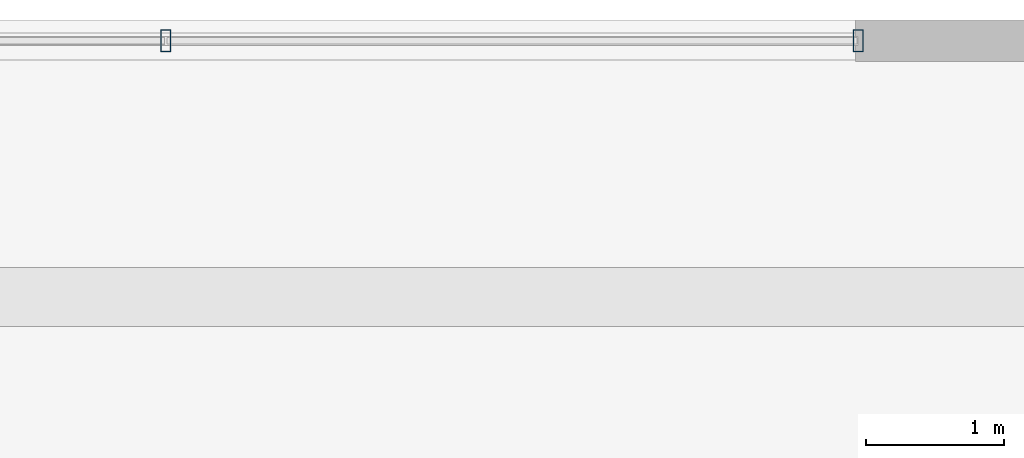
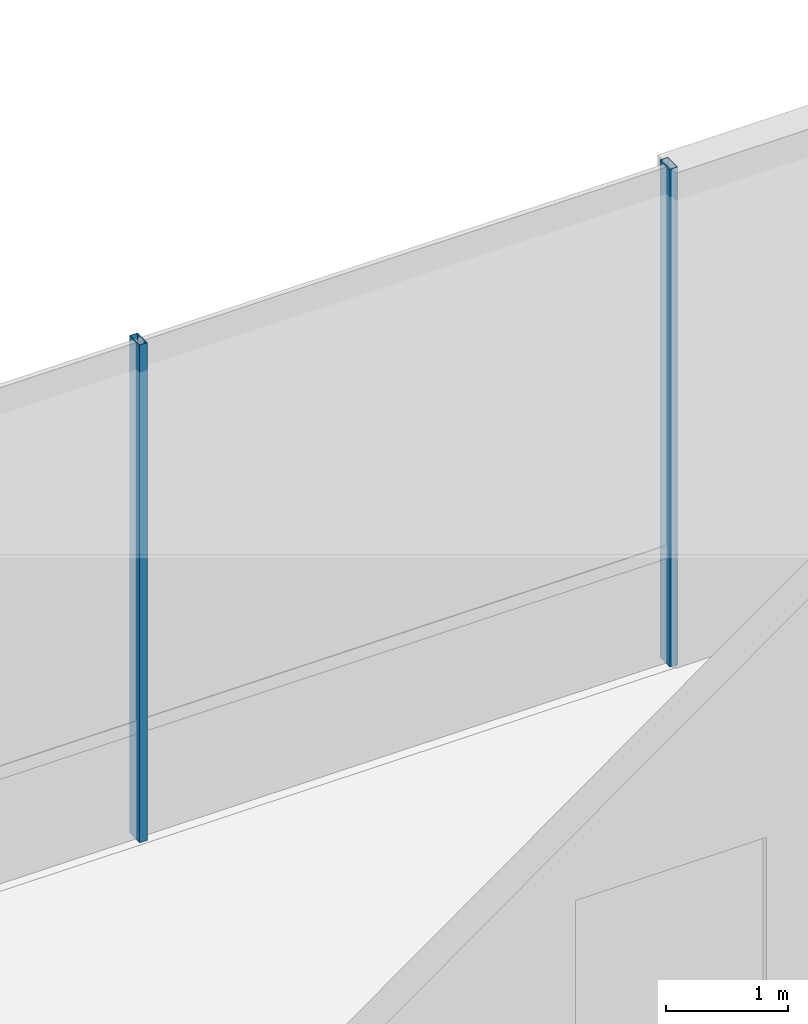
# One storey, part 18 of 41: 2 members, 1 element without a shape of its own.
"""IFC4 building model written with IfcOpenShell, lengths in metres."""

from ifc_helpers import new_model, si_unit, direction, frame, origin, origin_2d, place, context, subcontext, project, spatial, hollow_rectangle, extrude, source, transform, mapped, material, material_profile, profile_set, type_object, element, aggregate, save


model = new_model("IFC4")

# Units and contexts
model_context = context("Model", 3, precision=1e-05, world=origin(), true_north=direction((0.0, 1.0)))
body_context = subcontext(model_context, "Body", "Model", "MODEL_VIEW")
ifc_project = project(units=[si_unit("LENGTHUNIT", "METRE"), si_unit("AREAUNIT", "SQUARE_METRE"), si_unit("VOLUMEUNIT", "CUBIC_METRE"), si_unit("PLANEANGLEUNIT", "RADIAN"), si_unit("MASSUNIT", "GRAM", prefix="KILO")], contexts=[model_context])

# Site, building, storey
site_placement = place(None, origin())
site = spatial("IfcSite", under=ifc_project, at=site_placement, CompositionType="ELEMENT")
building_placement = place(site_placement, origin())
building = spatial("IfcBuilding", under=site, at=building_placement, Name="Valdorenza Pilgrim Sanctuary Tower", CompositionType="ELEMENT")
storey_placement = place(building_placement, frame((0.0, 0.0, 20.800048828125)))
storey = spatial("IfcBuildingStorey", under=building, at=storey_placement, Name="L04", CompositionType="ELEMENT", Elevation=20.800048828125)

# Curtain wall, members
ifc_material_1 = material(Name="Curtain-wall IGU glazing", Category="glass")
curtain_wall_type = type_object("IfcCurtainWallType", Name="CW-SYS-01", PredefinedType="NOTDEFINED", material=ifc_material_1)
curtain_wall_placement = place(storey_placement, origin())
curtain_wall = element("IfcCurtainWall", 1, at=curtain_wall_placement, inside=storey, type_object=curtain_wall_type, Name="L04 Curtain Wall CW-POD-L04-NN", PredefinedType="NOTDEFINED")
ifc_material_2 = material(Name="Anodised aluminium AW-6060", Category="aluminium")
ifc_material_profile = material_profile(ifc_material_2, hollow_rectangle(XDim=0.074951171875, YDim=0.159912109375, WallThickness=0.00390625, at=origin_2d()), Name="ALU-M 160x75x4")
ifc_profile_set = profile_set([ifc_material_profile], Name="Anodised aluminium AW-6060")
member_type = type_object("IfcMemberType", Name="CW-MUL-01", PredefinedType="MULLION", material=ifc_profile_set)
shared_shape = source(origin(), body_context, "Body", "SweptSolid", [
    extrude(hollow_rectangle(XDim=0.074951171875, YDim=0.159912109375, WallThickness=0.00390625, at=origin_2d()), origin(), (0.0, 0.0, 1.0), 4.9599609375),
])
member_1_placement = place(storey_placement, frame((5.0, 22.85009765625, 0.0), z_axis=(0.0, 0.0, 1.0), x_axis=(1.0, 0.0, 0.0)))
member_1 = element("IfcMember", 2, at=member_1_placement, type_object=member_type, Name="CW-POD-L04-NN Mullion 4", PredefinedType="MULLION", context=body_context, shape_type="MappedRepresentation", body=[
    mapped(shared_shape, transform((0.0, 0.0, 0.0), x_axis=(1.0, 0.0, 0.0), y_axis=(0.0, 1.0, 0.0), z_axis=(0.0, 0.0, 1.0), scale=1.0)),
])
member_2_placement = place(storey_placement, frame((10.0, 22.85009765625, 0.0), z_axis=(0.0, 0.0, 1.0), x_axis=(1.0, 0.0, 0.0)))
member_2 = element("IfcMember", 3, at=member_2_placement, type_object=member_type, Name="CW-POD-L04-NN Mullion 5", PredefinedType="MULLION", context=body_context, shape_type="MappedRepresentation", body=[
    mapped(shared_shape, transform((0.0, 0.0, 0.0), x_axis=(1.0, 0.0, 0.0), y_axis=(0.0, 1.0, 0.0), z_axis=(0.0, 0.0, 1.0), scale=1.0)),
])
aggregate(curtain_wall, [member_1, member_2])

save(model, "model.ifc")
